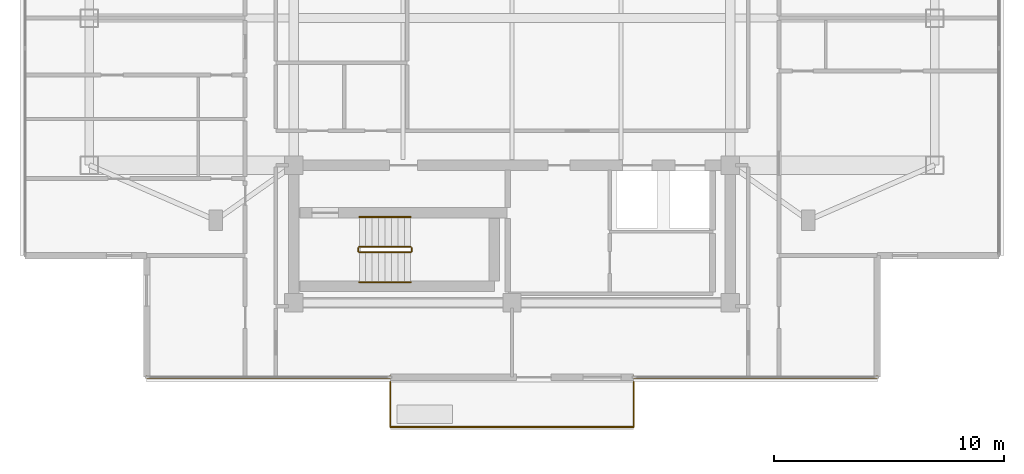
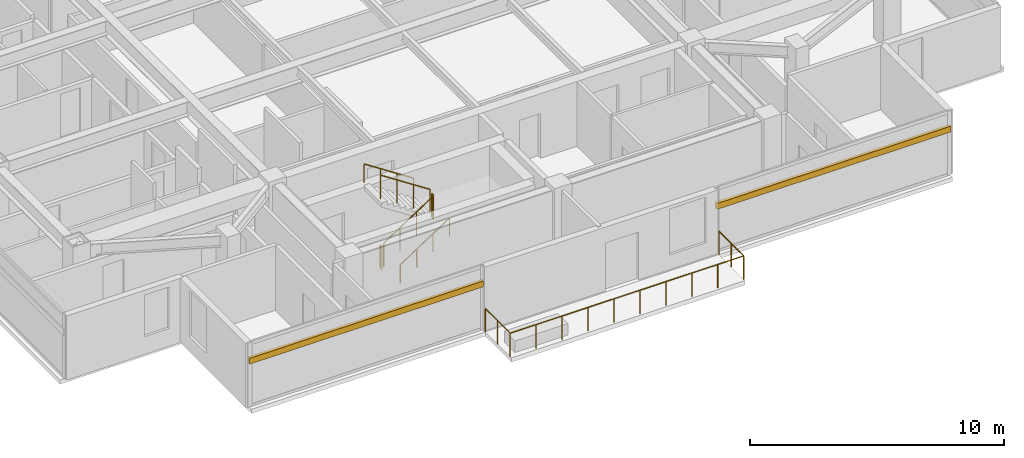
# One storey, part 12 of 14: 9 railings, 2 shading devices.
"""IFC4 building model written with IfcOpenShell, lengths in metres."""

from ifc_helpers import new_model, si_unit, direction, frame, origin, origin_2d, place, context, subcontext, project, spatial, rectangle, circle, extrude, material, material_profile, profile_set, type_object, element, save


model = new_model("IFC4")

# Units and contexts
model_context = context("Model", 3, precision=1e-05, world=origin(), true_north=direction((0.0, 1.0)))
body_context = subcontext(model_context, "Body", "Model", "MODEL_VIEW")
ifc_project = project(units=[si_unit("LENGTHUNIT", "METRE"), si_unit("AREAUNIT", "SQUARE_METRE"), si_unit("VOLUMEUNIT", "CUBIC_METRE"), si_unit("PLANEANGLEUNIT", "RADIAN"), si_unit("MASSUNIT", "GRAM", prefix="KILO")], contexts=[model_context])

# Site, building, storey
site_placement = place(None, origin())
site = spatial("IfcSite", under=ifc_project, at=site_placement, CompositionType="ELEMENT")
building_placement = place(site_placement, origin())
building = spatial("IfcBuilding", under=site, at=building_placement, Name="Mirazonda Arch Towers", CompositionType="ELEMENT")
storey_placement = place(building_placement, frame((0.0, 0.0, 232.60009765625)))
storey = spatial("IfcBuildingStorey", under=building, at=storey_placement, Name="L66", CompositionType="ELEMENT", Elevation=232.60009765625)

# Shading devices
ifc_material_1 = material(Name="Kiln-Fired Architectural Terracotta", Category="masonry")
ifc_material_profile = material_profile(ifc_material_1, rectangle(XDim=0.139892578125, YDim=0.280029296875, at=origin_2d()), Name="TERRA-BAG-140x280")
ifc_profile_set = profile_set([ifc_material_profile], Name="Kiln-Fired Architectural Terracotta")
shading_device_type = type_object("IfcShadingDeviceType", Name="BAGUETTE-3", PredefinedType="USERDEFINED", material=ifc_profile_set)
for number, where, z_axis, x_axis, name in (
    (1, (36.409912109375, 9.16796875, 2.217529296875), (-1.0, 0.0, 0.0), (0.0, -1.0, 0.0), "L66 Glazed Terracotta Sun-Screen Baguette CW-L66-T1-SA"),
    (2, (15.2099609375, 9.16796875, 2.217529296875), (-1.0, 0.0, 0.0), (0.0, -1.0, 0.0), "L66 Glazed Terracotta Sun-Screen Baguette CW-L66-T1-SB"),
):
    element("IfcShadingDevice", number, at=place(storey_placement, frame(where, z_axis=z_axis, x_axis=x_axis)), inside=storey, type_object=shading_device_type, Name=name, ObjectType="BAGUETTE", PredefinedType="USERDEFINED", context=body_context, shape_type="SweptSolid", body=[
        extrude(rectangle(XDim=0.139892578125, YDim=0.280029296875, at=origin_2d()), origin(), (0.0, 0.0, 1.0), 10.619873046875),
    ])

# Railings
ifc_material_2 = material(Name="Architectural Brushed Steel S355", Category="steel")
railing_type_1 = type_object("IfcRailingType", Name="GUARD-EXT-1150", PredefinedType="GUARDRAIL", material=ifc_material_2)
railing_1_placement = place(storey_placement, frame((25.800048828125, 8.9580078125, 0.0)))
element("IfcRailing", 3, at=railing_1_placement, inside=storey, type_object=railing_type_1, Name="L66 T1 Sky-Terrace Guard 01", PredefinedType="GUARDRAIL", context=body_context, shape_type="SweptSolid", body=[
    extrude(circle(Radius=0.02392578125, at=origin_2d()), frame((0.0, 0.0, 1.1259765625), z_axis=(0.0, -1.0, 0.0), x_axis=(1.0, 0.0, 0.0)), (0.0, 0.0, 1.0), 1.9599609375),
    extrude(circle(Radius=0.02099609375, at=origin_2d()), origin(), (0.0, 0.0, 1.0), 1.101806640625),
    extrude(circle(Radius=0.02099609375, at=origin_2d()), frame((0.0, -0.97998046875, 0.0)), (0.0, 0.0, 1.0), 1.101806640625),
    extrude(circle(Radius=0.02099609375, at=origin_2d()), frame((0.0, -1.9599609375, 0.0)), (0.0, 0.0, 1.0), 1.101806640625),
])
railing_2_placement = place(storey_placement, frame((25.800048828125, 6.998046875, 0.0)))
element("IfcRailing", 4, at=railing_2_placement, inside=storey, type_object=railing_type_1, Name="L66 T1 Sky-Terrace Guard 02", PredefinedType="GUARDRAIL", context=body_context, shape_type="SweptSolid", body=[
    extrude(circle(Radius=0.02392578125, at=origin_2d()), frame((0.0, 0.0, 1.1259765625), z_axis=(-1.0, 0.0, 0.0), x_axis=(0.0, -1.0, 0.0)), (0.0, 0.0, 1.0), 10.60009765625),
    extrude(circle(Radius=0.02099609375, at=origin_2d()), origin(), (0.0, 0.0, 1.0), 1.101806640625),
    extrude(circle(Radius=0.02099609375, at=origin_2d()), frame((-1.177734375, 0.0, 0.0)), (0.0, 0.0, 1.0), 1.101806640625),
    extrude(circle(Radius=0.02099609375, at=origin_2d()), frame((-2.35546875, 0.0, 0.0)), (0.0, 0.0, 1.0), 1.101806640625),
    extrude(circle(Radius=0.02099609375, at=origin_2d()), frame((-3.533447265625, 0.0, 0.0)), (0.0, 0.0, 1.0), 1.101806640625),
    extrude(circle(Radius=0.02099609375, at=origin_2d()), frame((-4.711181640625, 0.0, 0.0)), (0.0, 0.0, 1.0), 1.101806640625),
    extrude(circle(Radius=0.02099609375, at=origin_2d()), frame((-5.888916015625, 0.0, 0.0)), (0.0, 0.0, 1.0), 1.101806640625),
    extrude(circle(Radius=0.02099609375, at=origin_2d()), frame((-7.066650390625, 0.0, 0.0)), (0.0, 0.0, 1.0), 1.101806640625),
    extrude(circle(Radius=0.02099609375, at=origin_2d()), frame((-8.24462890625, 0.0, 0.0)), (0.0, 0.0, 1.0), 1.101806640625),
    extrude(circle(Radius=0.02099609375, at=origin_2d()), frame((-9.42236328125, 0.0, 0.0)), (0.0, 0.0, 1.0), 1.101806640625),
    extrude(circle(Radius=0.02099609375, at=origin_2d()), frame((-10.60009765625, 0.0, 0.0)), (0.0, 0.0, 1.0), 1.101806640625),
])
railing_3_placement = place(storey_placement, frame((15.199951171875, 6.998046875, 0.0)))
element("IfcRailing", 5, at=railing_3_placement, inside=storey, type_object=railing_type_1, Name="L66 T1 Sky-Terrace Guard 03", PredefinedType="GUARDRAIL", context=body_context, shape_type="SweptSolid", body=[
    extrude(circle(Radius=0.02392578125, at=origin_2d()), frame((0.0, 0.0, 1.1259765625), z_axis=(0.0, 1.0, 0.0), x_axis=(-1.0, 0.0, 0.0)), (0.0, 0.0, 1.0), 1.9599609375),
    extrude(circle(Radius=0.02099609375, at=origin_2d()), origin(), (0.0, 0.0, 1.0), 1.101806640625),
    extrude(circle(Radius=0.02099609375, at=origin_2d()), frame((0.0, 0.97998046875, 0.0)), (0.0, 0.0, 1.0), 1.101806640625),
    extrude(circle(Radius=0.02099609375, at=origin_2d()), frame((0.0, 1.9599609375, 0.0)), (0.0, 0.0, 1.0), 1.101806640625),
])
railing_type_2 = type_object("IfcRailingType", Name="GUARD-STAIR-1120", PredefinedType="GUARDRAIL", material=ifc_material_2)
railing_4_placement = place(storey_placement, frame((13.85009765625, 14.60009765625, 0.183349609375)))
element("IfcRailing", 6, at=railing_4_placement, inside=storey, type_object=railing_type_2, Name="L66 ST-T1S stair guard 1", PredefinedType="GUARDRAIL", context=body_context, shape_type="SweptSolid", body=[
    extrude(circle(Radius=0.02392578125, at=origin_2d()), frame((0.0, 0.0, 1.1259765625), z_axis=(0.836636935527, 0.0, 0.547757827979), x_axis=(0.0, 1.0, 0.0)), (0.0, 0.0, 1.0), 2.677490234375),
    extrude(circle(Radius=0.02099609375, at=origin_2d()), origin(), (0.0, 0.0, 1.0), 1.101806640625),
    extrude(circle(Radius=0.02099609375, at=origin_2d()), frame((0.74658203125, 0.0, 0.48876953125)), (0.0, 0.0, 1.0), 1.101806640625),
    extrude(circle(Radius=0.02099609375, at=origin_2d()), frame((1.493408203125, 0.0, 0.977783203125)), (0.0, 0.0, 1.0), 1.101806640625),
    extrude(circle(Radius=0.02099609375, at=origin_2d()), frame((2.239990234375, 0.0, 1.466552734375)), (0.0, 0.0, 1.0), 1.101806640625),
])
railing_5_placement = place(storey_placement, frame((16.139892578125, 14.64990234375, 1.64990234375)))
element("IfcRailing", 7, at=railing_5_placement, inside=storey, type_object=railing_type_2, Name="L66 ST-T1S stair guard 2", PredefinedType="GUARDRAIL", context=body_context, shape_type="SweptSolid", body=[
    extrude(circle(Radius=0.02392578125, at=origin_2d()), frame((0.0, 0.0, 1.1259765625), z_axis=(0.0, 1.0, 0.0), x_axis=(-1.0, 0.0, 0.0)), (0.0, 0.0, 1.0), 0.14013671875),
    extrude(circle(Radius=0.02099609375, at=origin_2d()), origin(), (0.0, 0.0, 1.0), 1.101806640625),
    extrude(circle(Radius=0.02099609375, at=origin_2d()), frame((0.0, 0.14013671875, 0.0)), (0.0, 0.0, 1.0), 1.101806640625),
])
railing_6_placement = place(storey_placement, frame((16.090087890625, 14.840087890625, 1.833251953125)))
element("IfcRailing", 8, at=railing_6_placement, inside=storey, type_object=railing_type_2, Name="L66 ST-T1S stair guard 3", PredefinedType="GUARDRAIL", context=body_context, shape_type="SweptSolid", body=[
    extrude(circle(Radius=0.02392578125, at=origin_2d()), frame((0.0, 0.0, 1.1259765625), z_axis=(-0.836636935527, 0.0, 0.547757827979), x_axis=(0.0, -1.0, 0.0)), (0.0, 0.0, 1.0), 2.677490234375),
    extrude(circle(Radius=0.02099609375, at=origin_2d()), origin(), (0.0, 0.0, 1.0), 1.101806640625),
    extrude(circle(Radius=0.02099609375, at=origin_2d()), frame((-0.74658203125, 0.0, 0.48876953125)), (0.0, 0.0, 1.0), 1.101806640625),
    extrude(circle(Radius=0.02099609375, at=origin_2d()), frame((-1.493408203125, 0.0, 0.977783203125)), (0.0, 0.0, 1.0), 1.101806640625),
    extrude(circle(Radius=0.02099609375, at=origin_2d()), frame((-2.239990234375, 0.0, 1.466552734375)), (0.0, 0.0, 1.0), 1.101806640625),
])
railing_7_placement = place(storey_placement, frame((13.800048828125, 14.64990234375, 0.0)))
element("IfcRailing", 9, at=railing_7_placement, inside=storey, type_object=railing_type_2, Name="L66 ST-T1S stair guard 4", PredefinedType="GUARDRAIL", context=body_context, shape_type="SweptSolid", body=[
    extrude(circle(Radius=0.02392578125, at=origin_2d()), frame((0.0, 0.0, 1.1259765625), z_axis=(0.0, 1.0, 0.0), x_axis=(-1.0, 0.0, 0.0)), (0.0, 0.0, 1.0), 0.14013671875),
    extrude(circle(Radius=0.02099609375, at=origin_2d()), origin(), (0.0, 0.0, 1.0), 1.101806640625),
    extrude(circle(Radius=0.02099609375, at=origin_2d()), frame((0.0, 0.14013671875, 0.0)), (0.0, 0.0, 1.0), 1.101806640625),
])
railing_type_3 = type_object("IfcRailingType", Name="HANDRAIL-915", PredefinedType="HANDRAIL", material=ifc_material_2)
railing_8_placement = place(storey_placement, frame((13.85009765625, 13.300048828125, 0.183349609375)))
element("IfcRailing", 10, at=railing_8_placement, inside=storey, type_object=railing_type_3, Name="L66 ST-T1S stair handrail 1", PredefinedType="HANDRAIL", context=body_context, shape_type="SweptSolid", body=[
    extrude(circle(Radius=0.02392578125, at=origin_2d()), frame((0.0, 0.0, 0.8759765625), z_axis=(0.836636935527, 0.0, 0.547757827979), x_axis=(0.0, 1.0, 0.0)), (0.0, 0.0, 1.0), 2.677490234375),
    extrude(circle(Radius=0.02099609375, at=origin_2d()), origin(), (0.0, 0.0, 1.0), 0.851806640625),
    extrude(circle(Radius=0.02099609375, at=origin_2d()), frame((0.74658203125, 0.0, 0.48876953125)), (0.0, 0.0, 1.0), 0.851806640625),
    extrude(circle(Radius=0.02099609375, at=origin_2d()), frame((1.493408203125, 0.0, 0.977783203125)), (0.0, 0.0, 1.0), 0.851806640625),
    extrude(circle(Radius=0.02099609375, at=origin_2d()), frame((2.239990234375, 0.0, 1.466552734375)), (0.0, 0.0, 1.0), 0.851806640625),
])
railing_9_placement = place(storey_placement, frame((16.090087890625, 16.139892578125, 1.833251953125)))
element("IfcRailing", 11, at=railing_9_placement, inside=storey, type_object=railing_type_3, Name="L66 ST-T1S stair handrail 2", PredefinedType="HANDRAIL", context=body_context, shape_type="SweptSolid", body=[
    extrude(circle(Radius=0.02392578125, at=origin_2d()), frame((0.0, 0.0, 0.8759765625), z_axis=(-0.836636935527, 0.0, 0.547757827979), x_axis=(0.0, -1.0, 0.0)), (0.0, 0.0, 1.0), 2.677490234375),
    extrude(circle(Radius=0.02099609375, at=origin_2d()), origin(), (0.0, 0.0, 1.0), 0.851806640625),
    extrude(circle(Radius=0.02099609375, at=origin_2d()), frame((-0.74658203125, 0.0, 0.48876953125)), (0.0, 0.0, 1.0), 0.851806640625),
    extrude(circle(Radius=0.02099609375, at=origin_2d()), frame((-1.493408203125, 0.0, 0.977783203125)), (0.0, 0.0, 1.0), 0.851806640625),
    extrude(circle(Radius=0.02099609375, at=origin_2d()), frame((-2.239990234375, 0.0, 1.466552734375)), (0.0, 0.0, 1.0), 0.851806640625),
])

save(model, "model.ifc")
